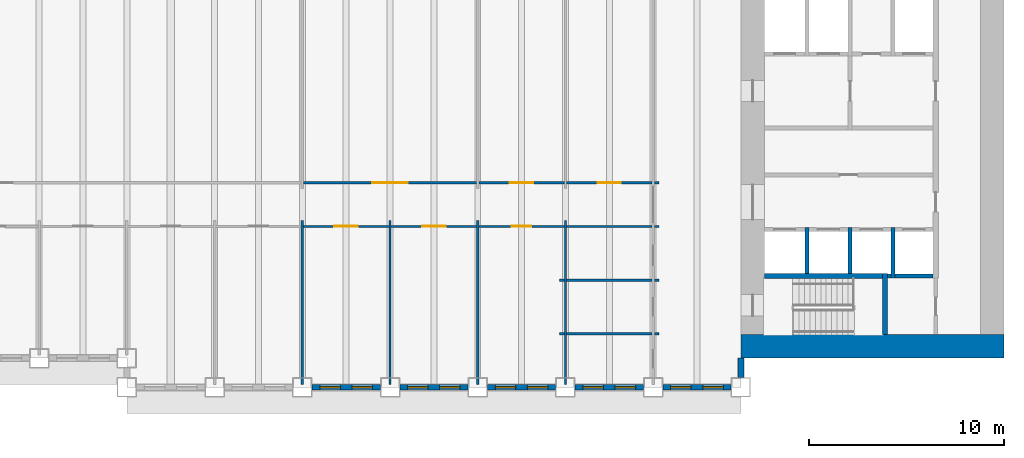
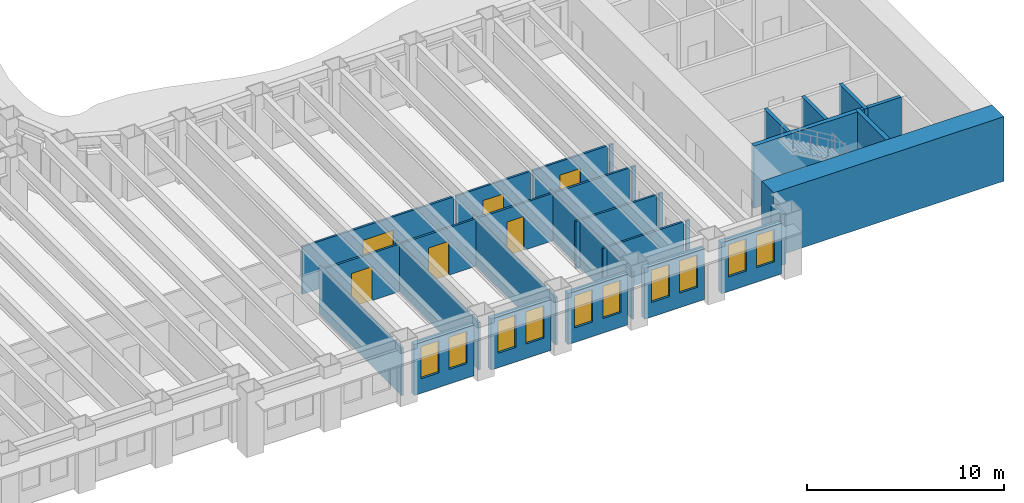
# One storey, part 5 of 16: 33 walls, 10 windows, 6 doors, 16 openings.
"""IFC4 building model written with IfcOpenShell, lengths in metres."""

from ifc_helpers import new_model, si_unit, direction, frame, frame_2d, origin, place, context, subcontext, project, spatial, rectangle, extrude, material, layer, layer_set, type_object, element, fill, save


model = new_model("IFC4")

# Units and contexts
model_context = context("Model", 3, precision=1e-05, world=origin(), true_north=direction((0.0, 1.0)))
body_context = subcontext(model_context, "Body", "Model", "MODEL_VIEW")
ifc_project = project(units=[si_unit("LENGTHUNIT", "METRE"), si_unit("AREAUNIT", "SQUARE_METRE"), si_unit("VOLUMEUNIT", "CUBIC_METRE"), si_unit("PLANEANGLEUNIT", "RADIAN"), si_unit("MASSUNIT", "GRAM", prefix="KILO")], contexts=[model_context])

# Site, building, storey
site_placement = place(None, origin())
site = spatial("IfcSite", under=ifc_project, at=site_placement, CompositionType="ELEMENT")
building_placement = place(site_placement, origin())
building = spatial("IfcBuilding", under=site, at=building_placement, Name="Sennacour Bend Tower", CompositionType="ELEMENT")
storey_placement = place(building_placement, frame((0.0, 0.0, 111.0)))
storey = spatial("IfcBuildingStorey", under=building, at=storey_placement, Name="L25", CompositionType="ELEMENT", Elevation=111.0)

# Walls
ifc_material_1 = material(Name="Concrete C80/95", Category="concrete")
ifc_layer_1 = layer(ifc_material_1, 1.199951171875, Name="Concrete C80/95", Category="concrete")
ifc_layer_set_1 = layer_set([ifc_layer_1], Name="Concrete C80/95")
wall_type_1 = type_object("IfcWallType", Name="Core wall 1200 C80/95", PredefinedType="SHEAR", material=ifc_layer_set_1)
wall_1_placement = place(storey_placement, frame((67.5, 0.60009765625, -0.14990234375), z_axis=(0.0, 0.0, 1.0), x_axis=(-1.0, 0.0, 0.0)))
element("IfcWall", 1, at=wall_1_placement, inside=storey, type_object=wall_type_1, Name="Core A wall L25 S", PredefinedType="SHEAR", context=body_context, shape_type="SweptSolid", body=[
    extrude(rectangle(XDim=13.5, YDim=1.199951171875, at=frame_2d((6.75, 0.0))), origin(), (0.0, 0.0, 1.0), 4.0),
])
ifc_material_2 = material(Name="Plasterboard partition on steel studs", Category="steel")
ifc_layer_2 = layer(ifc_material_2, 0.1201171875, Name="Plasterboard partition on steel studs", Category="steel")
ifc_layer_set_2 = layer_set([ifc_layer_2], Name="Plasterboard partition on steel studs")
wall_type_2 = type_object("IfcWallType", Name="Partition 120", PredefinedType="PARTITIONING", material=ifc_layer_set_2)
for number, where, z_axis, x_axis, name in (
    (2, (31.5, -1.35009765625, 0.0), (0.0, 0.0, 1.0), (0.0, 1.0, 0.0), "P-L25-W026a"),
    (3, (36.0, -1.35009765625, 0.0), (0.0, 0.0, 1.0), (0.0, 1.0, 0.0), "P-L25-W028a"),
    (4, (40.5, -1.35009765625, 0.0), (0.0, 0.0, 1.0), (0.0, 1.0, 0.0), "P-L25-W029a"),
    (5, (45.0, -1.35009765625, 0.0), (0.0, 0.0, 1.0), (0.0, 1.0, 0.0), "P-L25-W031a"),
):
    element("IfcWall", number, at=place(storey_placement, frame(where, z_axis=z_axis, x_axis=x_axis)), inside=storey, type_object=wall_type_2, Name=name, PredefinedType="PARTITIONING", context=body_context, shape_type="SweptSolid", body=[
        extrude(rectangle(XDim=8.400146484375, YDim=0.1201171875, at=frame_2d((4.2001953125, 0.0))), origin(), (0.0, 0.0, 1.0), 2.93798828125),
    ])
wall_2_placement = place(storey_placement, frame((44.699951171875, 1.25, 0.0), z_axis=(0.0, 0.0, 1.0), x_axis=(1.0, 0.0, 0.0)))
element("IfcWall", 6, at=wall_2_placement, inside=storey, type_object=wall_type_2, Name="P-L25-W048aa", PredefinedType="PARTITIONING", context=body_context, shape_type="SweptSolid", body=[
    extrude(rectangle(XDim=0.239990234375, YDim=0.1201171875, at=frame_2d((0.1201171875, 0.0))), origin(), (0.0, 0.0, 1.0), 2.93798828125),
])
wall_3_placement = place(storey_placement, frame((45.06005859375, 1.25, 0.0), z_axis=(0.0, 0.0, 1.0), x_axis=(1.0, 0.0, 0.0)))
element("IfcWall", 7, at=wall_3_placement, inside=storey, type_object=wall_type_2, Name="P-L25-W048ab", PredefinedType="PARTITIONING", context=body_context, shape_type="SweptSolid", body=[
    extrude(rectangle(XDim=4.3798828125, YDim=0.1201171875, at=frame_2d((2.18994140625, 0.0))), origin(), (0.0, 0.0, 1.0), 2.93798828125),
])
for number, where, z_axis, x_axis, name in (
    (8, (49.56005859375, 1.25, 0.0), (0.0, 0.0, 1.0), (1.0, 0.0, 0.0), "P-L25-W048ac"),
    (9, (44.699951171875, 4.0, 0.0), (0.0, 0.0, 1.0), (1.0, 0.0, 0.0), "P-L25-W052aa"),
):
    element("IfcWall", number, at=place(storey_placement, frame(where, z_axis=z_axis, x_axis=x_axis)), inside=storey, type_object=wall_type_2, Name=name, PredefinedType="PARTITIONING", context=body_context, shape_type="SweptSolid", body=[
        extrude(rectangle(XDim=0.239990234375, YDim=0.1201171875, at=frame_2d((0.1201171875, 0.0))), origin(), (0.0, 0.0, 1.0), 2.93798828125),
    ])
wall_4_placement = place(storey_placement, frame((45.06005859375, 4.0, 0.0), z_axis=(0.0, 0.0, 1.0), x_axis=(1.0, 0.0, 0.0)))
element("IfcWall", 10, at=wall_4_placement, inside=storey, type_object=wall_type_2, Name="P-L25-W052ab", PredefinedType="PARTITIONING", context=body_context, shape_type="SweptSolid", body=[
    extrude(rectangle(XDim=4.3798828125, YDim=0.1201171875, at=frame_2d((2.18994140625, 0.0))), origin(), (0.0, 0.0, 1.0), 2.93798828125),
])
wall_5_placement = place(storey_placement, frame((49.56005859375, 4.0, 0.0), z_axis=(0.0, 0.0, 1.0), x_axis=(1.0, 0.0, 0.0)))
element("IfcWall", 11, at=wall_5_placement, inside=storey, type_object=wall_type_2, Name="P-L25-W052ac", PredefinedType="PARTITIONING", context=body_context, shape_type="SweptSolid", body=[
    extrude(rectangle(XDim=0.239990234375, YDim=0.1201171875, at=frame_2d((0.1201171875, 0.0))), origin(), (0.0, 0.0, 1.0), 2.93798828125),
])

# Wall, opening, door
wall_6_placement = place(storey_placement, frame((31.56005859375, 6.75, 0.0), z_axis=(0.0, 0.0, 1.0), x_axis=(1.0, 0.0, 0.0)))
wall_6 = element("IfcWall", 12, at=wall_6_placement, inside=storey, type_object=wall_type_2, Name="P-L25-W056af", PredefinedType="PARTITIONING", context=body_context, shape_type="SweptSolid", body=[
    extrude(rectangle(XDim=4.3798828125, YDim=0.1201171875, at=frame_2d((2.18994140625, 0.0))), origin(), (0.0, 0.0, 1.0), 2.93798828125),
])
opening_1_placement = place(wall_6_placement, frame((1.58984375, 0.0, 0.0)))
opening_1 = element("IfcOpeningElement", 13, at=opening_1_placement, cuts=wall_6, Name="Opening OD", PredefinedType="OPENING", context=body_context, shape_type="SweptSolid", body=[
    extrude(rectangle(XDim=1.199951171875, YDim=2.10009765625, at=frame_2d((0.60009765625, 1.050048828125))), frame((0.0, 0.070068359375, 0.0), z_axis=(0.0, -1.0, 0.0), x_axis=(1.0, 0.0, 0.0)), (0.0, 0.0, 1.0), 0.14013671875),
])
ifc_material_3 = material(Name="Timber", Category="wood")
door_type_1 = type_object("IfcDoorType", Name="DR-OFFICE-1200", OperationType="NOTDEFINED", PredefinedType="DOOR", material=ifc_material_3)
door_1_placement = place(opening_1_placement, origin())
door_1 = element("IfcDoor", 14, at=door_1_placement, inside=storey, type_object=door_type_1, Name="Door", OperationType="SINGLE_SWING_LEFT", OverallHeight=2.10009765625, OverallWidth=1.199951171875, PredefinedType="DOOR", context=body_context, shape_type="SweptSolid", body=[
    extrude(rectangle(XDim=1.199951171875, YDim=2.10009765625, at=frame_2d((0.60009765625, 1.050048828125))), frame((0.0, 0.02490234375, 0.0), z_axis=(0.0, -1.0, 0.0), x_axis=(1.0, 0.0, 0.0)), (0.0, 0.0, 1.0), 0.050048828125),
])
fill(opening_1, door_1)

wall_7_placement = place(storey_placement, frame((36.06005859375, 6.75, 0.0), z_axis=(0.0, 0.0, 1.0), x_axis=(1.0, 0.0, 0.0)))
wall_7 = element("IfcWall", 15, at=wall_7_placement, inside=storey, type_object=wall_type_2, Name="P-L25-W056ag", PredefinedType="PARTITIONING", context=body_context, shape_type="SweptSolid", body=[
    extrude(rectangle(XDim=4.3798828125, YDim=0.1201171875, at=frame_2d((2.18994140625, 0.0))), origin(), (0.0, 0.0, 1.0), 2.93798828125),
])
opening_2_placement = place(wall_7_placement, frame((1.58984375, 0.0, 0.0)))
opening_2 = element("IfcOpeningElement", 16, at=opening_2_placement, cuts=wall_7, Name="Opening OD", PredefinedType="OPENING", context=body_context, shape_type="SweptSolid", body=[
    extrude(rectangle(XDim=1.199951171875, YDim=2.10009765625, at=frame_2d((0.60009765625, 1.050048828125))), frame((0.0, 0.070068359375, 0.0), z_axis=(0.0, -1.0, 0.0), x_axis=(1.0, 0.0, 0.0)), (0.0, 0.0, 1.0), 0.14013671875),
])
door_2_placement = place(opening_2_placement, origin())
door_2 = element("IfcDoor", 17, at=door_2_placement, inside=storey, type_object=door_type_1, Name="Door", OperationType="SINGLE_SWING_LEFT", OverallHeight=2.10009765625, OverallWidth=1.199951171875, PredefinedType="DOOR", context=body_context, shape_type="SweptSolid", body=[
    extrude(rectangle(XDim=1.199951171875, YDim=2.10009765625, at=frame_2d((0.60009765625, 1.050048828125))), frame((0.0, 0.02490234375, 0.0), z_axis=(0.0, -1.0, 0.0), x_axis=(1.0, 0.0, 0.0)), (0.0, 0.0, 1.0), 0.050048828125),
])
fill(opening_2, door_2)

wall_8_placement = place(storey_placement, frame((40.56005859375, 6.75, 0.0), z_axis=(0.0, 0.0, 1.0), x_axis=(1.0, 0.0, 0.0)))
wall_8 = element("IfcWall", 18, at=wall_8_placement, inside=storey, type_object=wall_type_2, Name="P-L25-W056ah", PredefinedType="PARTITIONING", context=body_context, shape_type="SweptSolid", body=[
    extrude(rectangle(XDim=4.3798828125, YDim=0.1201171875, at=frame_2d((2.18994140625, 0.0))), origin(), (0.0, 0.0, 1.0), 2.93798828125),
])
opening_3_placement = place(wall_8_placement, frame((1.68994140625, 0.0, 0.0)))
opening_3 = element("IfcOpeningElement", 19, at=opening_3_placement, cuts=wall_8, Name="Opening OD2", PredefinedType="OPENING", context=body_context, shape_type="SweptSolid", body=[
    extrude(rectangle(XDim=1.0, YDim=2.10009765625, at=frame_2d((0.5, 1.050048828125))), frame((0.0, 0.070068359375, 0.0), z_axis=(0.0, -1.0, 0.0), x_axis=(1.0, 0.0, 0.0)), (0.0, 0.0, 1.0), 0.14013671875),
])
door_type_2 = type_object("IfcDoorType", Name="DR-OFFICE-1000", OperationType="NOTDEFINED", PredefinedType="DOOR", material=ifc_material_3)
door_3_placement = place(opening_3_placement, origin())
door_3 = element("IfcDoor", 20, at=door_3_placement, inside=storey, type_object=door_type_2, Name="Door", OperationType="SINGLE_SWING_LEFT", OverallHeight=2.10009765625, OverallWidth=1.0, PredefinedType="DOOR", context=body_context, shape_type="SweptSolid", body=[
    extrude(rectangle(XDim=1.0, YDim=2.10009765625, at=frame_2d((0.5, 1.050048828125))), frame((0.0, 0.02490234375, 0.0), z_axis=(0.0, -1.0, 0.0), x_axis=(1.0, 0.0, 0.0)), (0.0, 0.0, 1.0), 0.050048828125),
])
fill(opening_3, door_3)

# Walls
wall_9_placement = place(storey_placement, frame((45.06005859375, 6.75, 0.0), z_axis=(0.0, 0.0, 1.0), x_axis=(1.0, 0.0, 0.0)))
element("IfcWall", 21, at=wall_9_placement, inside=storey, type_object=wall_type_2, Name="P-L25-W056ai", PredefinedType="PARTITIONING", context=body_context, shape_type="SweptSolid", body=[
    extrude(rectangle(XDim=4.3798828125, YDim=0.1201171875, at=frame_2d((2.18994140625, 0.0))), origin(), (0.0, 0.0, 1.0), 2.93798828125),
])
wall_10_placement = place(storey_placement, frame((49.56005859375, 6.75, 0.0), z_axis=(0.0, 0.0, 1.0), x_axis=(1.0, 0.0, 0.0)))
element("IfcWall", 22, at=wall_10_placement, inside=storey, type_object=wall_type_2, Name="P-L25-W056aj", PredefinedType="PARTITIONING", context=body_context, shape_type="SweptSolid", body=[
    extrude(rectangle(XDim=0.239990234375, YDim=0.1201171875, at=frame_2d((0.1201171875, 0.0))), origin(), (0.0, 0.0, 1.0), 2.93798828125),
])

# Wall, opening, door
wall_11_placement = place(storey_placement, frame((31.56005859375, 9.0, 0.0), z_axis=(0.0, 0.0, 1.0), x_axis=(1.0, 0.0, 0.0)))
wall_11 = element("IfcWall", 23, at=wall_11_placement, inside=storey, type_object=wall_type_2, Name="P-L25-W057ad", PredefinedType="PARTITIONING", context=body_context, shape_type="SweptSolid", body=[
    extrude(rectangle(XDim=8.8798828125, YDim=0.1201171875, at=frame_2d((4.43994140625, 0.0))), origin(), (0.0, 0.0, 1.0), 2.93798828125),
])
opening_4_placement = place(wall_11_placement, frame((3.539794921875, 0.0, 0.0)))
opening_4 = element("IfcOpeningElement", 24, at=opening_4_placement, cuts=wall_11, Name="Opening OD3", PredefinedType="OPENING", context=body_context, shape_type="SweptSolid", body=[
    extrude(rectangle(XDim=1.800048828125, YDim=2.10009765625, at=frame_2d((0.89990234375, 1.050048828125))), frame((0.0, 0.070068359375, 0.0), z_axis=(0.0, -1.0, 0.0), x_axis=(1.0, 0.0, 0.0)), (0.0, 0.0, 1.0), 0.14013671875),
])
door_type_3 = type_object("IfcDoorType", Name="DR-OFFICE-1800", OperationType="NOTDEFINED", PredefinedType="DOOR", material=ifc_material_3)
door_4_placement = place(opening_4_placement, origin())
door_4 = element("IfcDoor", 25, at=door_4_placement, inside=storey, type_object=door_type_3, Name="Door", OperationType="DOUBLE_DOOR_SINGLE_SWING", OverallHeight=2.10009765625, OverallWidth=1.800048828125, PredefinedType="DOOR", context=body_context, shape_type="SweptSolid", body=[
    extrude(rectangle(XDim=1.800048828125, YDim=2.10009765625, at=frame_2d((0.89990234375, 1.050048828125))), frame((0.0, 0.02490234375, 0.0), z_axis=(0.0, -1.0, 0.0), x_axis=(1.0, 0.0, 0.0)), (0.0, 0.0, 1.0), 0.050048828125),
])
fill(opening_4, door_4)

wall_12_placement = place(storey_placement, frame((40.56005859375, 9.0, 0.0), z_axis=(0.0, 0.0, 1.0), x_axis=(1.0, 0.0, 0.0)))
wall_12 = element("IfcWall", 26, at=wall_12_placement, inside=storey, type_object=wall_type_2, Name="P-L25-W057ae", PredefinedType="PARTITIONING", context=body_context, shape_type="SweptSolid", body=[
    extrude(rectangle(XDim=4.3798828125, YDim=0.1201171875, at=frame_2d((2.18994140625, 0.0))), origin(), (0.0, 0.0, 1.0), 2.93798828125),
])
opening_5_placement = place(wall_12_placement, frame((1.58984375, 0.0, 0.0)))
opening_5 = element("IfcOpeningElement", 27, at=opening_5_placement, cuts=wall_12, Name="Opening OD", PredefinedType="OPENING", context=body_context, shape_type="SweptSolid", body=[
    extrude(rectangle(XDim=1.199951171875, YDim=2.10009765625, at=frame_2d((0.60009765625, 1.050048828125))), frame((0.0, 0.070068359375, 0.0), z_axis=(0.0, -1.0, 0.0), x_axis=(1.0, 0.0, 0.0)), (0.0, 0.0, 1.0), 0.14013671875),
])
door_5_placement = place(opening_5_placement, origin())
door_5 = element("IfcDoor", 28, at=door_5_placement, inside=storey, type_object=door_type_1, Name="Door", OperationType="SINGLE_SWING_LEFT", OverallHeight=2.10009765625, OverallWidth=1.199951171875, PredefinedType="DOOR", context=body_context, shape_type="SweptSolid", body=[
    extrude(rectangle(XDim=1.199951171875, YDim=2.10009765625, at=frame_2d((0.60009765625, 1.050048828125))), frame((0.0, 0.02490234375, 0.0), z_axis=(0.0, -1.0, 0.0), x_axis=(1.0, 0.0, 0.0)), (0.0, 0.0, 1.0), 0.050048828125),
])
fill(opening_5, door_5)

wall_13_placement = place(storey_placement, frame((45.06005859375, 9.0, 0.0), z_axis=(0.0, 0.0, 1.0), x_axis=(1.0, 0.0, 0.0)))
wall_13 = element("IfcWall", 29, at=wall_13_placement, inside=storey, type_object=wall_type_2, Name="P-L25-W057af", PredefinedType="PARTITIONING", context=body_context, shape_type="SweptSolid", body=[
    extrude(rectangle(XDim=4.3798828125, YDim=0.1201171875, at=frame_2d((2.18994140625, 0.0))), origin(), (0.0, 0.0, 1.0), 2.93798828125),
])
opening_6_placement = place(wall_13_placement, frame((1.58984375, 0.0, 0.0)))
opening_6 = element("IfcOpeningElement", 30, at=opening_6_placement, cuts=wall_13, Name="Opening OD", PredefinedType="OPENING", context=body_context, shape_type="SweptSolid", body=[
    extrude(rectangle(XDim=1.199951171875, YDim=2.10009765625, at=frame_2d((0.60009765625, 1.050048828125))), frame((0.0, 0.070068359375, 0.0), z_axis=(0.0, -1.0, 0.0), x_axis=(1.0, 0.0, 0.0)), (0.0, 0.0, 1.0), 0.14013671875),
])
door_6_placement = place(opening_6_placement, origin())
door_6 = element("IfcDoor", 31, at=door_6_placement, inside=storey, type_object=door_type_1, Name="Door", OperationType="SINGLE_SWING_LEFT", OverallHeight=2.10009765625, OverallWidth=1.199951171875, PredefinedType="DOOR", context=body_context, shape_type="SweptSolid", body=[
    extrude(rectangle(XDim=1.199951171875, YDim=2.10009765625, at=frame_2d((0.60009765625, 1.050048828125))), frame((0.0, 0.02490234375, 0.0), z_axis=(0.0, -1.0, 0.0), x_axis=(1.0, 0.0, 0.0)), (0.0, 0.0, 1.0), 0.050048828125),
])
fill(opening_6, door_6)

# Wall
wall_14_placement = place(storey_placement, frame((49.56005859375, 9.0, 0.0), z_axis=(0.0, 0.0, 1.0), x_axis=(1.0, 0.0, 0.0)))
element("IfcWall", 32, at=wall_14_placement, inside=storey, type_object=wall_type_2, Name="P-L25-W057ag", PredefinedType="PARTITIONING", context=body_context, shape_type="SweptSolid", body=[
    extrude(rectangle(XDim=0.239990234375, YDim=0.1201171875, at=frame_2d((0.1201171875, 0.0))), origin(), (0.0, 0.0, 1.0), 2.93798828125),
])

# Wall, openings, windows
ifc_material_4 = material(Name="Warm limestone cladding", Category="masonry")
ifc_layer_3 = layer(ifc_material_4, 0.050048828125, Name="Warm limestone cladding", Category="masonry")
ifc_material_5 = material(Name="Precast concrete C40/50", Category="concrete")
ifc_layer_4 = layer(ifc_material_5, 0.25, Name="Precast concrete C40/50", Category="concrete")
ifc_layer_set_3 = layer_set([ifc_layer_3, ifc_layer_4], Name="Precast concrete C40/50 with limestone cladding")
wall_type_3 = type_object("IfcWallType", Name="STONE-CLAD PRECAST SPANDREL 300", PredefinedType="STANDARD", material=ifc_layer_set_3)
wall_15_placement = place(storey_placement, frame((32.0, -1.5, 0.0), z_axis=(0.0, 0.0, 1.0), x_axis=(1.0, 0.0, 0.0)))
wall_15 = element("IfcWall", 33, at=wall_15_placement, inside=storey, type_object=wall_type_3, Name="Stone spandrel and pier wall L25 00.02", PredefinedType="STANDARD", context=body_context, shape_type="SweptSolid", body=[
    extrude(rectangle(XDim=3.5, YDim=0.300048828125, at=frame_2d((1.75, 0.0))), origin(), (0.0, 0.0, 1.0), 3.154052734375),
])
opening_7_placement = place(wall_15_placement, frame((0.39990234375, 0.0, 0.89990234375)))
opening_7 = element("IfcOpeningElement", 34, at=opening_7_placement, cuts=wall_15, Name="Opening W13", PredefinedType="OPENING", context=body_context, shape_type="SweptSolid", body=[
    extrude(rectangle(XDim=1.050048828125, YDim=2.0, at=frame_2d((0.52490234375, 1.0))), frame((0.0, 0.16015625, 0.0), z_axis=(0.0, -1.0, 0.0), x_axis=(1.0, 0.0, 0.0)), (0.0, 0.0, 1.0), 0.320068359375),
])
opening_8_placement = place(wall_15_placement, frame((2.050048828125, 0.0, 0.89990234375)))
opening_8 = element("IfcOpeningElement", 35, at=opening_8_placement, cuts=wall_15, Name="Opening W13", PredefinedType="OPENING", context=body_context, shape_type="SweptSolid", body=[
    extrude(rectangle(XDim=1.050048828125, YDim=2.0, at=frame_2d((0.52490234375, 1.0))), frame((0.0, 0.16015625, 0.0), z_axis=(0.0, -1.0, 0.0), x_axis=(1.0, 0.0, 0.0)), (0.0, 0.0, 1.0), 0.320068359375),
])
ifc_material_6 = material(Name="Clear low-emissivity glass", Category="glass")
window_type = type_object("IfcWindowType", Name="WIN-RIBBON-1050x2000", PartitioningType="SINGLE_PANEL", PredefinedType="WINDOW", material=ifc_material_6)
window_1_placement = place(opening_7_placement, origin())
window_1 = element("IfcWindow", 36, at=window_1_placement, inside=storey, type_object=window_type, Name="Ribbon window L25 00.02.0", OverallHeight=2.0, OverallWidth=1.050048828125, PartitioningType="SINGLE_PANEL", PredefinedType="WINDOW", context=body_context, shape_type="SweptSolid", body=[
    extrude(rectangle(XDim=1.050048828125, YDim=2.0, at=frame_2d((0.52490234375, 1.0))), frame((0.0, 0.030029296875, 0.0), z_axis=(0.0, -1.0, 0.0), x_axis=(1.0, 0.0, 0.0)), (0.0, 0.0, 1.0), 0.06005859375),
])
fill(opening_7, window_1)
window_2_placement = place(opening_8_placement, origin())
window_2 = element("IfcWindow", 37, at=window_2_placement, inside=storey, type_object=window_type, Name="Ribbon window L25 00.02.1", OverallHeight=2.0, OverallWidth=1.050048828125, PartitioningType="SINGLE_PANEL", PredefinedType="WINDOW", context=body_context, shape_type="SweptSolid", body=[
    extrude(rectangle(XDim=1.050048828125, YDim=2.0, at=frame_2d((0.52490234375, 1.0))), frame((0.0, 0.030029296875, 0.0), z_axis=(0.0, -1.0, 0.0), x_axis=(1.0, 0.0, 0.0)), (0.0, 0.0, 1.0), 0.06005859375),
])
fill(opening_8, window_2)

wall_16_placement = place(storey_placement, frame((36.5, -1.5, 0.0), z_axis=(0.0, 0.0, 1.0), x_axis=(1.0, 0.0, 0.0)))
wall_16 = element("IfcWall", 38, at=wall_16_placement, inside=storey, type_object=wall_type_3, Name="Stone spandrel and pier wall L25 00.03", PredefinedType="STANDARD", context=body_context, shape_type="SweptSolid", body=[
    extrude(rectangle(XDim=3.5, YDim=0.300048828125, at=frame_2d((1.75, 0.0))), origin(), (0.0, 0.0, 1.0), 3.154052734375),
])
opening_9_placement = place(wall_16_placement, frame((0.39990234375, 0.0, 0.89990234375)))
opening_9 = element("IfcOpeningElement", 39, at=opening_9_placement, cuts=wall_16, Name="Opening W13", PredefinedType="OPENING", context=body_context, shape_type="SweptSolid", body=[
    extrude(rectangle(XDim=1.050048828125, YDim=2.0, at=frame_2d((0.52490234375, 1.0))), frame((0.0, 0.16015625, 0.0), z_axis=(0.0, -1.0, 0.0), x_axis=(1.0, 0.0, 0.0)), (0.0, 0.0, 1.0), 0.320068359375),
])
opening_10_placement = place(wall_16_placement, frame((2.050048828125, 0.0, 0.89990234375)))
opening_10 = element("IfcOpeningElement", 40, at=opening_10_placement, cuts=wall_16, Name="Opening W13", PredefinedType="OPENING", context=body_context, shape_type="SweptSolid", body=[
    extrude(rectangle(XDim=1.050048828125, YDim=2.0, at=frame_2d((0.52490234375, 1.0))), frame((0.0, 0.16015625, 0.0), z_axis=(0.0, -1.0, 0.0), x_axis=(1.0, 0.0, 0.0)), (0.0, 0.0, 1.0), 0.320068359375),
])
window_3_placement = place(opening_9_placement, origin())
window_3 = element("IfcWindow", 41, at=window_3_placement, inside=storey, type_object=window_type, Name="Ribbon window L25 00.03.0", OverallHeight=2.0, OverallWidth=1.050048828125, PartitioningType="SINGLE_PANEL", PredefinedType="WINDOW", context=body_context, shape_type="SweptSolid", body=[
    extrude(rectangle(XDim=1.050048828125, YDim=2.0, at=frame_2d((0.52490234375, 1.0))), frame((0.0, 0.030029296875, 0.0), z_axis=(0.0, -1.0, 0.0), x_axis=(1.0, 0.0, 0.0)), (0.0, 0.0, 1.0), 0.06005859375),
])
fill(opening_9, window_3)
window_4_placement = place(opening_10_placement, origin())
window_4 = element("IfcWindow", 42, at=window_4_placement, inside=storey, type_object=window_type, Name="Ribbon window L25 00.03.1", OverallHeight=2.0, OverallWidth=1.050048828125, PartitioningType="SINGLE_PANEL", PredefinedType="WINDOW", context=body_context, shape_type="SweptSolid", body=[
    extrude(rectangle(XDim=1.050048828125, YDim=2.0, at=frame_2d((0.52490234375, 1.0))), frame((0.0, 0.030029296875, 0.0), z_axis=(0.0, -1.0, 0.0), x_axis=(1.0, 0.0, 0.0)), (0.0, 0.0, 1.0), 0.06005859375),
])
fill(opening_10, window_4)

wall_17_placement = place(storey_placement, frame((41.0, -1.5, 0.0), z_axis=(0.0, 0.0, 1.0), x_axis=(1.0, 0.0, 0.0)))
wall_17 = element("IfcWall", 43, at=wall_17_placement, inside=storey, type_object=wall_type_3, Name="Stone spandrel and pier wall L25 00.04", PredefinedType="STANDARD", context=body_context, shape_type="SweptSolid", body=[
    extrude(rectangle(XDim=3.5, YDim=0.300048828125, at=frame_2d((1.75, 0.0))), origin(), (0.0, 0.0, 1.0), 3.154052734375),
])
opening_11_placement = place(wall_17_placement, frame((0.39990234375, 0.0, 0.89990234375)))
opening_11 = element("IfcOpeningElement", 44, at=opening_11_placement, cuts=wall_17, Name="Opening W13", PredefinedType="OPENING", context=body_context, shape_type="SweptSolid", body=[
    extrude(rectangle(XDim=1.050048828125, YDim=2.0, at=frame_2d((0.52490234375, 1.0))), frame((0.0, 0.16015625, 0.0), z_axis=(0.0, -1.0, 0.0), x_axis=(1.0, 0.0, 0.0)), (0.0, 0.0, 1.0), 0.320068359375),
])
opening_12_placement = place(wall_17_placement, frame((2.050048828125, 0.0, 0.89990234375)))
opening_12 = element("IfcOpeningElement", 45, at=opening_12_placement, cuts=wall_17, Name="Opening W13", PredefinedType="OPENING", context=body_context, shape_type="SweptSolid", body=[
    extrude(rectangle(XDim=1.050048828125, YDim=2.0, at=frame_2d((0.52490234375, 1.0))), frame((0.0, 0.16015625, 0.0), z_axis=(0.0, -1.0, 0.0), x_axis=(1.0, 0.0, 0.0)), (0.0, 0.0, 1.0), 0.320068359375),
])
window_5_placement = place(opening_11_placement, origin())
window_5 = element("IfcWindow", 46, at=window_5_placement, inside=storey, type_object=window_type, Name="Ribbon window L25 00.04.0", OverallHeight=2.0, OverallWidth=1.050048828125, PartitioningType="SINGLE_PANEL", PredefinedType="WINDOW", context=body_context, shape_type="SweptSolid", body=[
    extrude(rectangle(XDim=1.050048828125, YDim=2.0, at=frame_2d((0.52490234375, 1.0))), frame((0.0, 0.030029296875, 0.0), z_axis=(0.0, -1.0, 0.0), x_axis=(1.0, 0.0, 0.0)), (0.0, 0.0, 1.0), 0.06005859375),
])
fill(opening_11, window_5)
window_6_placement = place(opening_12_placement, origin())
window_6 = element("IfcWindow", 47, at=window_6_placement, inside=storey, type_object=window_type, Name="Ribbon window L25 00.04.1", OverallHeight=2.0, OverallWidth=1.050048828125, PartitioningType="SINGLE_PANEL", PredefinedType="WINDOW", context=body_context, shape_type="SweptSolid", body=[
    extrude(rectangle(XDim=1.050048828125, YDim=2.0, at=frame_2d((0.52490234375, 1.0))), frame((0.0, 0.030029296875, 0.0), z_axis=(0.0, -1.0, 0.0), x_axis=(1.0, 0.0, 0.0)), (0.0, 0.0, 1.0), 0.06005859375),
])
fill(opening_12, window_6)

wall_18_placement = place(storey_placement, frame((45.5, -1.5, 0.0), z_axis=(0.0, 0.0, 1.0), x_axis=(1.0, 0.0, 0.0)))
wall_18 = element("IfcWall", 48, at=wall_18_placement, inside=storey, type_object=wall_type_3, Name="Stone spandrel and pier wall L25 00.05", PredefinedType="STANDARD", context=body_context, shape_type="SweptSolid", body=[
    extrude(rectangle(XDim=3.5, YDim=0.300048828125, at=frame_2d((1.75, 0.0))), origin(), (0.0, 0.0, 1.0), 3.154052734375),
])
opening_13_placement = place(wall_18_placement, frame((0.39990234375, 0.0, 0.89990234375)))
opening_13 = element("IfcOpeningElement", 49, at=opening_13_placement, cuts=wall_18, Name="Opening W13", PredefinedType="OPENING", context=body_context, shape_type="SweptSolid", body=[
    extrude(rectangle(XDim=1.050048828125, YDim=2.0, at=frame_2d((0.52490234375, 1.0))), frame((0.0, 0.16015625, 0.0), z_axis=(0.0, -1.0, 0.0), x_axis=(1.0, 0.0, 0.0)), (0.0, 0.0, 1.0), 0.320068359375),
])
opening_14_placement = place(wall_18_placement, frame((2.050048828125, 0.0, 0.89990234375)))
opening_14 = element("IfcOpeningElement", 50, at=opening_14_placement, cuts=wall_18, Name="Opening W13", PredefinedType="OPENING", context=body_context, shape_type="SweptSolid", body=[
    extrude(rectangle(XDim=1.050048828125, YDim=2.0, at=frame_2d((0.52490234375, 1.0))), frame((0.0, 0.16015625, 0.0), z_axis=(0.0, -1.0, 0.0), x_axis=(1.0, 0.0, 0.0)), (0.0, 0.0, 1.0), 0.320068359375),
])
window_7_placement = place(opening_13_placement, origin())
window_7 = element("IfcWindow", 51, at=window_7_placement, inside=storey, type_object=window_type, Name="Ribbon window L25 00.05.0", OverallHeight=2.0, OverallWidth=1.050048828125, PartitioningType="SINGLE_PANEL", PredefinedType="WINDOW", context=body_context, shape_type="SweptSolid", body=[
    extrude(rectangle(XDim=1.050048828125, YDim=2.0, at=frame_2d((0.52490234375, 1.0))), frame((0.0, 0.030029296875, 0.0), z_axis=(0.0, -1.0, 0.0), x_axis=(1.0, 0.0, 0.0)), (0.0, 0.0, 1.0), 0.06005859375),
])
fill(opening_13, window_7)
window_8_placement = place(opening_14_placement, origin())
window_8 = element("IfcWindow", 52, at=window_8_placement, inside=storey, type_object=window_type, Name="Ribbon window L25 00.05.1", OverallHeight=2.0, OverallWidth=1.050048828125, PartitioningType="SINGLE_PANEL", PredefinedType="WINDOW", context=body_context, shape_type="SweptSolid", body=[
    extrude(rectangle(XDim=1.050048828125, YDim=2.0, at=frame_2d((0.52490234375, 1.0))), frame((0.0, 0.030029296875, 0.0), z_axis=(0.0, -1.0, 0.0), x_axis=(1.0, 0.0, 0.0)), (0.0, 0.0, 1.0), 0.06005859375),
])
fill(opening_14, window_8)

wall_19_placement = place(storey_placement, frame((50.0, -1.5, 0.0), z_axis=(0.0, 0.0, 1.0), x_axis=(1.0, 0.0, 0.0)))
wall_19 = element("IfcWall", 53, at=wall_19_placement, inside=storey, type_object=wall_type_3, Name="Stone spandrel and pier wall L25 00.06", PredefinedType="STANDARD", context=body_context, shape_type="SweptSolid", body=[
    extrude(rectangle(XDim=3.5, YDim=0.300048828125, at=frame_2d((1.75, 0.0))), origin(), (0.0, 0.0, 1.0), 3.154052734375),
])
opening_15_placement = place(wall_19_placement, frame((0.39990234375, 0.0, 0.89990234375)))
opening_15 = element("IfcOpeningElement", 54, at=opening_15_placement, cuts=wall_19, Name="Opening W13", PredefinedType="OPENING", context=body_context, shape_type="SweptSolid", body=[
    extrude(rectangle(XDim=1.050048828125, YDim=2.0, at=frame_2d((0.52490234375, 1.0))), frame((0.0, 0.16015625, 0.0), z_axis=(0.0, -1.0, 0.0), x_axis=(1.0, 0.0, 0.0)), (0.0, 0.0, 1.0), 0.320068359375),
])
opening_16_placement = place(wall_19_placement, frame((2.050048828125, 0.0, 0.89990234375)))
opening_16 = element("IfcOpeningElement", 55, at=opening_16_placement, cuts=wall_19, Name="Opening W13", PredefinedType="OPENING", context=body_context, shape_type="SweptSolid", body=[
    extrude(rectangle(XDim=1.050048828125, YDim=2.0, at=frame_2d((0.52490234375, 1.0))), frame((0.0, 0.16015625, 0.0), z_axis=(0.0, -1.0, 0.0), x_axis=(1.0, 0.0, 0.0)), (0.0, 0.0, 1.0), 0.320068359375),
])
window_9_placement = place(opening_15_placement, origin())
window_9 = element("IfcWindow", 56, at=window_9_placement, inside=storey, type_object=window_type, Name="Ribbon window L25 00.06.0", OverallHeight=2.0, OverallWidth=1.050048828125, PartitioningType="SINGLE_PANEL", PredefinedType="WINDOW", context=body_context, shape_type="SweptSolid", body=[
    extrude(rectangle(XDim=1.050048828125, YDim=2.0, at=frame_2d((0.52490234375, 1.0))), frame((0.0, 0.030029296875, 0.0), z_axis=(0.0, -1.0, 0.0), x_axis=(1.0, 0.0, 0.0)), (0.0, 0.0, 1.0), 0.06005859375),
])
fill(opening_15, window_9)
window_10_placement = place(opening_16_placement, origin())
window_10 = element("IfcWindow", 57, at=window_10_placement, inside=storey, type_object=window_type, Name="Ribbon window L25 00.06.1", OverallHeight=2.0, OverallWidth=1.050048828125, PartitioningType="SINGLE_PANEL", PredefinedType="WINDOW", context=body_context, shape_type="SweptSolid", body=[
    extrude(rectangle(XDim=1.050048828125, YDim=2.0, at=frame_2d((0.52490234375, 1.0))), frame((0.0, 0.030029296875, 0.0), z_axis=(0.0, -1.0, 0.0), x_axis=(1.0, 0.0, 0.0)), (0.0, 0.0, 1.0), 0.06005859375),
])
fill(opening_16, window_10)

# Walls
wall_20_placement = place(storey_placement, frame((54.0, -1.0, 0.0), z_axis=(0.0, 0.0, 1.0), x_axis=(0.0, 1.0, 0.0)))
element("IfcWall", 58, at=wall_20_placement, inside=storey, type_object=wall_type_3, Name="Stone spandrel and pier wall L25 01.00", PredefinedType="STANDARD", context=body_context, shape_type="SweptSolid", body=[
    extrude(rectangle(XDim=1.0, YDim=0.300048828125, at=frame_2d((0.5, 0.0))), origin(), (0.0, 0.0, 1.0), 3.154052734375),
])
ifc_material_7 = material(Name="Concrete C50/60", Category="concrete")
ifc_layer_5 = layer(ifc_material_7, 0.199951171875, Name="Concrete C50/60", Category="concrete")
ifc_layer_set_4 = layer_set([ifc_layer_5], Name="Concrete C50/60")
wall_type_4 = type_object("IfcWallType", Name="Shaft wall 200", PredefinedType="SOLIDWALL", material=ifc_layer_set_4)
for number, where, z_axis, x_axis, name in (
    (59, (57.39990234375, 4.324951171875, 0.0), (0.0, 0.0, 1.0), (0.0, 1.0, 0.0), "P-L25-W035"),
    (60, (59.60009765625, 4.324951171875, 0.0), (0.0, 0.0, 1.0), (0.0, 1.0, 0.0), "P-L25-W037"),
):
    element("IfcWall", number, at=place(storey_placement, frame(where, z_axis=z_axis, x_axis=x_axis)), inside=storey, type_object=wall_type_4, Name=name, PredefinedType="SOLIDWALL", context=body_context, shape_type="SweptSolid", body=[
        extrude(rectangle(XDim=2.375, YDim=0.199951171875, at=frame_2d((1.1875, 0.0))), origin(), (0.0, 0.0, 1.0), 3.85009765625),
    ])
wall_21_placement = place(storey_placement, frame((61.800048828125, 4.10009765625, 0.0), z_axis=(0.0, 0.0, 1.0), x_axis=(0.0, 1.0, 0.0)))
element("IfcWall", 61, at=wall_21_placement, inside=storey, type_object=wall_type_4, Name="P-L25-W042", PredefinedType="SOLIDWALL", context=body_context, shape_type="SweptSolid", body=[
    extrude(rectangle(XDim=2.599853515625, YDim=0.199951171875, at=frame_2d((1.2998046875, 0.0))), origin(), (0.0, 0.0, 1.0), 3.85009765625),
])
wall_22_placement = place(storey_placement, frame((61.52490234375, 4.199951171875, 0.0), z_axis=(0.0, 0.0, 1.0), x_axis=(1.0, 0.0, 0.0)))
element("IfcWall", 62, at=wall_22_placement, inside=storey, type_object=wall_type_4, Name="P-L25-W054a", PredefinedType="SOLIDWALL", context=body_context, shape_type="SweptSolid", body=[
    extrude(rectangle(XDim=0.175048828125, YDim=0.199951171875, at=frame_2d((0.08740234375, 0.0))), origin(), (0.0, 0.0, 1.0), 3.85009765625),
])
wall_23_placement = place(storey_placement, frame((61.89990234375, 4.199951171875, 0.0), z_axis=(0.0, 0.0, 1.0), x_axis=(1.0, 0.0, 0.0)))
element("IfcWall", 63, at=wall_23_placement, inside=storey, type_object=wall_type_4, Name="P-L25-W054b", PredefinedType="SOLIDWALL", context=body_context, shape_type="SweptSolid", body=[
    extrude(rectangle(XDim=1.9501953125, YDim=0.199951171875, at=frame_2d((0.97509765625, 0.0))), origin(), (0.0, 0.0, 1.0), 3.85009765625),
])
ifc_material_8 = material(Name="Concrete C60/75", Category="concrete")
ifc_layer_6 = layer(ifc_material_8, 0.25, Name="Concrete C60/75", Category="concrete")
ifc_layer_set_5 = layer_set([ifc_layer_6], Name="Concrete C60/75")
wall_type_5 = type_object("IfcWallType", Name="Stair wall 250", PredefinedType="SHEAR", material=ifc_layer_set_5)
wall_24_placement = place(storey_placement, frame((61.39990234375, 1.199951171875, 0.0), z_axis=(0.0, 0.0, 1.0), x_axis=(0.0, 1.0, 0.0)))
element("IfcWall", 64, at=wall_24_placement, inside=storey, type_object=wall_type_5, Name="P-L25-W040", PredefinedType="SHEAR", context=body_context, shape_type="SweptSolid", body=[
    extrude(rectangle(XDim=3.125, YDim=0.25, at=frame_2d((1.5625, 0.0))), origin(), (0.0, 0.0, 1.0), 3.85009765625),
])
wall_25_placement = place(storey_placement, frame((55.199951171875, 4.199951171875, 0.0), z_axis=(0.0, 0.0, 1.0), x_axis=(1.0, 0.0, 0.0)))
element("IfcWall", 65, at=wall_25_placement, inside=storey, type_object=wall_type_5, Name="P-L25-W053", PredefinedType="SHEAR", context=body_context, shape_type="SweptSolid", body=[
    extrude(rectangle(XDim=6.074951171875, YDim=0.25, at=frame_2d((3.03759765625, 0.0))), origin(), (0.0, 0.0, 1.0), 3.85009765625),
])

save(model, "model.ifc")
